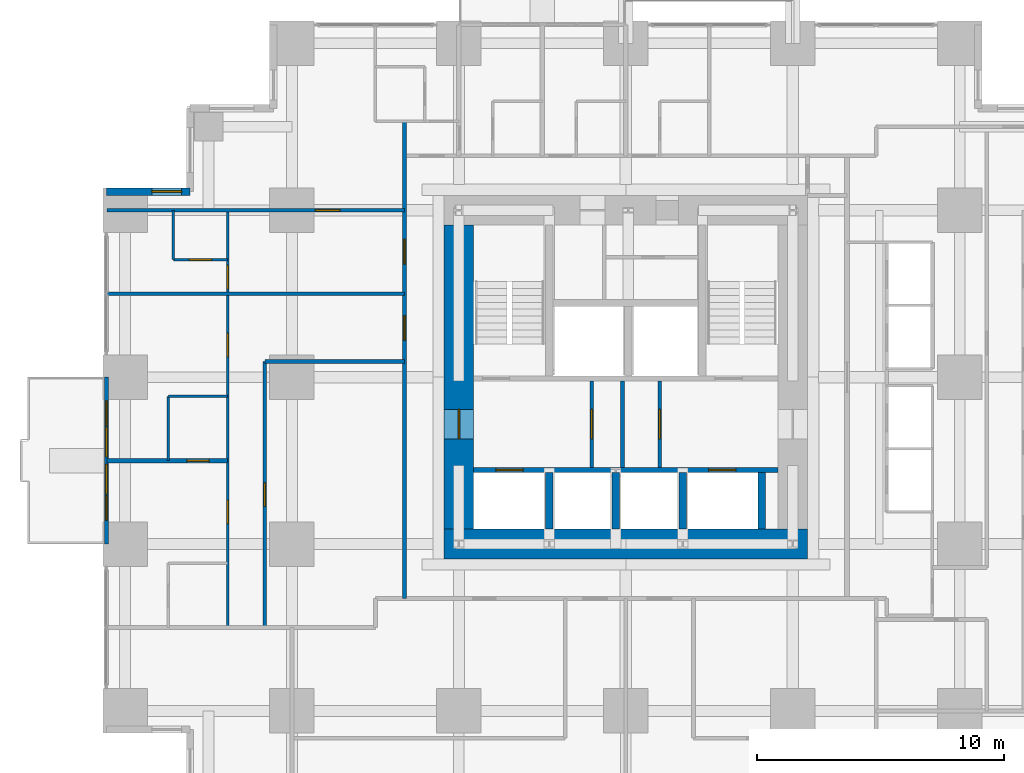
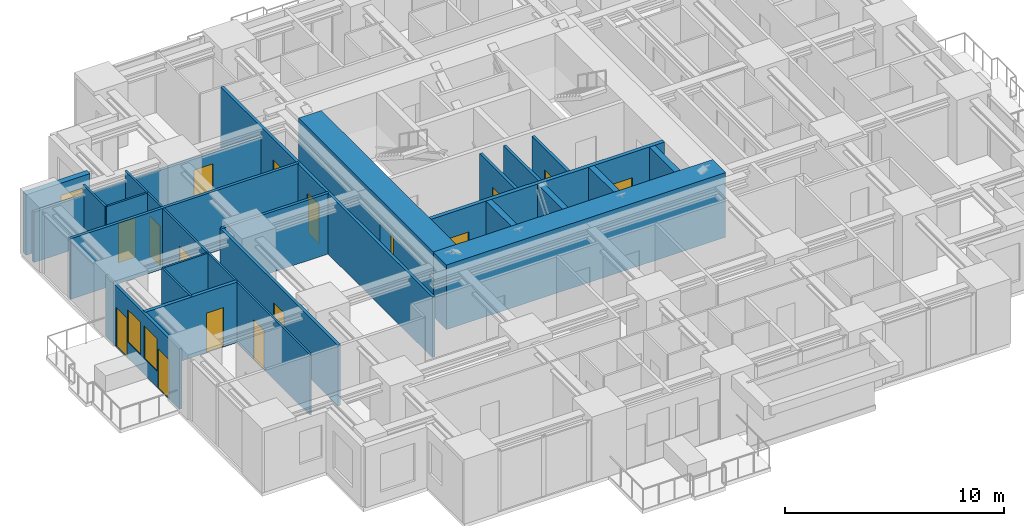
# One storey, part 8 of 13: 23 walls, 16 doors, 3 windows, 19 openings.
"""IFC4 building model written with IfcOpenShell, lengths in metres."""

from ifc_helpers import new_model, si_unit, direction, frame, frame_2d, origin, place, context, subcontext, project, spatial, rectangle, extrude, material, layer, layer_set, type_object, element, fill, save


model = new_model("IFC4")

# Units and contexts
model_context = context("Model", 3, precision=1e-05, world=origin(), true_north=direction((0.0, 1.0)))
body_context = subcontext(model_context, "Body", "Model", "MODEL_VIEW")
ifc_project = project(units=[si_unit("LENGTHUNIT", "METRE"), si_unit("AREAUNIT", "SQUARE_METRE"), si_unit("VOLUMEUNIT", "CUBIC_METRE"), si_unit("PLANEANGLEUNIT", "RADIAN"), si_unit("MASSUNIT", "GRAM", prefix="KILO")], contexts=[model_context])

# Site, building, storey
site_placement = place(None, origin())
site = spatial("IfcSite", under=ifc_project, at=site_placement, CompositionType="ELEMENT")
building_placement = place(site_placement, origin())
building = spatial("IfcBuilding", under=site, at=building_placement, Name="Nyansa Garden Tower", CompositionType="ELEMENT")
storey_placement = place(building_placement, frame((0.0, 0.0, 101.699951171875)))
storey = spatial("IfcBuildingStorey", under=building, at=storey_placement, Name="L27", CompositionType="ELEMENT", Elevation=101.699951171875)

# Wall, opening, door
ifc_material_1 = material(Name="Dense blockwork, plastered both sides, 55 dB", Category="masonry")
ifc_layer_1 = layer(ifc_material_1, 0.175048828125)
ifc_layer_set_1 = layer_set([ifc_layer_1], Name="Acoustic party wall PW175")
wall_type_1 = type_object("IfcWallType", Name="Acoustic party wall PW175", PredefinedType="PARTITIONING", material=ifc_layer_set_1)
wall_1_placement = place(storey_placement, frame((-0.73388671875, 16.875, 0.0), z_axis=(0.0, 0.0, 1.0), x_axis=(1.0, 0.0, 0.0)))
wall_1 = element("IfcWall", 1, at=wall_1_placement, inside=storey, type_object=wall_type_1, Name="Party wall", PredefinedType="PARTITIONING", context=body_context, shape_type="SweptSolid", body=[
    extrude(rectangle(XDim=4.8837890625, YDim=0.175048828125, at=frame_2d((2.44189453125, 0.0))), origin(), (0.0, 0.0, 1.0), 3.375),
])
opening_1_placement = place(wall_1_placement, frame((3.23388671875, 0.0, 0.0)))
opening_1 = element("IfcOpeningElement", 2, at=opening_1_placement, cuts=wall_1, Name="Opening D02", PredefinedType="OPENING", context=body_context, shape_type="SweptSolid", body=[
    extrude(rectangle(XDim=0.89990234375, YDim=2.199951171875, at=frame_2d((0.449951171875, 1.10009765625))), frame((0.0, 0.097412109375, 0.0), z_axis=(0.0, -1.0, 0.0), x_axis=(1.0, 0.0, 0.0)), (0.0, 0.0, 1.0), 0.195068359375),
])
ifc_material_2 = material(Name="Timber flush door", Category="wood")
door_type_1 = type_object("IfcDoorType", Name="En-suite door D02 900x2200", OperationType="SINGLE_SWING_RIGHT", PredefinedType="DOOR", material=ifc_material_2)
door_1_placement = place(opening_1_placement, origin())
door_1 = element("IfcDoor", 3, at=door_1_placement, inside=storey, type_object=door_type_1, Name="Door L27-061", OperationType="SINGLE_SWING_RIGHT", OverallHeight=2.199951171875, OverallWidth=0.89990234375, PredefinedType="DOOR", context=body_context, shape_type="SweptSolid", body=[
    extrude(rectangle(XDim=0.89990234375, YDim=2.199951171875, at=frame_2d((0.449951171875, 1.10009765625))), frame((0.0, 0.02490234375, 0.0), z_axis=(0.0, -1.0, 0.0), x_axis=(1.0, 0.0, 0.0)), (0.0, 0.0, 1.0), 0.050048828125),
])
fill(opening_1, door_1)

# Wall, openings, doors, windows
ifc_material_3 = material(Name="Black aluminium framed glazed screen", Category="aluminium")
ifc_layer_2 = layer(ifc_material_3, 0.14990234375)
ifc_layer_set_2 = layer_set([ifc_layer_2], Name="Balcony screen wall BW150")
wall_type_2 = type_object("IfcWallType", Name="Balcony screen wall BW150", PredefinedType="SOLIDWALL", material=ifc_layer_set_2)
wall_2_placement = place(storey_placement, frame((-0.75, 13.5, 0.0), z_axis=(0.0, 0.0, 1.0), x_axis=(0.0, 1.0, 0.0)))
wall_2 = element("IfcWall", 4, at=wall_2_placement, inside=storey, type_object=wall_type_2, Name="Glazed screen wall L27 W", PredefinedType="SOLIDWALL", context=body_context, shape_type="SweptSolid", body=[
    extrude(rectangle(XDim=6.75, YDim=0.14990234375, at=frame_2d((3.375, 0.0))), origin(), (0.0, 0.0, 1.0), 3.375),
])
opening_2_placement = place(wall_2_placement, frame((0.96240234375, 0.0, 0.0)))
opening_2 = element("IfcOpeningElement", 5, at=opening_2_placement, cuts=wall_2, Name="Opening D20", PredefinedType="OPENING", context=body_context, shape_type="SweptSolid", body=[
    extrude(rectangle(XDim=1.0, YDim=2.199951171875, at=frame_2d((0.5, 1.10009765625))), frame((0.0, 0.0849609375, 0.0), z_axis=(0.0, -1.0, 0.0), x_axis=(1.0, 0.0, 0.0)), (0.0, 0.0, 1.0), 0.169921875),
])
opening_3_placement = place(wall_2_placement, frame((2.02490234375, 0.0, 0.89990234375)))
opening_3 = element("IfcOpeningElement", 6, at=opening_3_placement, cuts=wall_2, Name="Opening W6", PredefinedType="OPENING", context=body_context, shape_type="SweptSolid", body=[
    extrude(rectangle(XDim=1.199951171875, YDim=1.800048828125, at=frame_2d((0.60009765625, 0.89990234375))), frame((0.0, 0.0849609375, 0.0), z_axis=(0.0, -1.0, 0.0), x_axis=(1.0, 0.0, 0.0)), (0.0, 0.0, 1.0), 0.169921875),
])
opening_4_placement = place(wall_2_placement, frame((4.78759765625, 0.0, 0.0)))
opening_4 = element("IfcOpeningElement", 7, at=opening_4_placement, cuts=wall_2, Name="Opening D20", PredefinedType="OPENING", context=body_context, shape_type="SweptSolid", body=[
    extrude(rectangle(XDim=1.0, YDim=2.199951171875, at=frame_2d((0.5, 1.10009765625))), frame((0.0, 0.0849609375, 0.0), z_axis=(0.0, -1.0, 0.0), x_axis=(1.0, 0.0, 0.0)), (0.0, 0.0, 1.0), 0.169921875),
])
opening_5_placement = place(wall_2_placement, frame((3.52490234375, 0.0, 0.89990234375)))
opening_5 = element("IfcOpeningElement", 8, at=opening_5_placement, cuts=wall_2, Name="Opening W6", PredefinedType="OPENING", context=body_context, shape_type="SweptSolid", body=[
    extrude(rectangle(XDim=1.199951171875, YDim=1.800048828125, at=frame_2d((0.60009765625, 0.89990234375))), frame((0.0, 0.0849609375, 0.0), z_axis=(0.0, -1.0, 0.0), x_axis=(1.0, 0.0, 0.0)), (0.0, 0.0, 1.0), 0.169921875),
])
ifc_material_4 = material(Name="Black aluminium framed glazed door", Category="aluminium")
door_type_2 = type_object("IfcDoorType", Name="Balcony door D20 1000x2200", OperationType="NOTDEFINED", PredefinedType="DOOR", material=ifc_material_4)
door_2_placement = place(opening_2_placement, origin())
door_2 = element("IfcDoor", 9, at=door_2_placement, inside=storey, type_object=door_type_2, Name="Balcony door L27", OperationType="SINGLE_SWING_LEFT", OverallHeight=2.199951171875, OverallWidth=1.0, PredefinedType="DOOR", context=body_context, shape_type="SweptSolid", body=[
    extrude(rectangle(XDim=1.0, YDim=2.199951171875, at=frame_2d((0.5, 1.10009765625))), frame((0.0, 0.02490234375, 0.0), z_axis=(0.0, -1.0, 0.0), x_axis=(1.0, 0.0, 0.0)), (0.0, 0.0, 1.0), 0.050048828125),
])
fill(opening_2, door_2)
door_3_placement = place(opening_4_placement, origin())
door_3 = element("IfcDoor", 10, at=door_3_placement, inside=storey, type_object=door_type_2, Name="Balcony door L27", OperationType="SINGLE_SWING_RIGHT", OverallHeight=2.199951171875, OverallWidth=1.0, PredefinedType="DOOR", context=body_context, shape_type="SweptSolid", body=[
    extrude(rectangle(XDim=1.0, YDim=2.199951171875, at=frame_2d((0.5, 1.10009765625))), frame((0.0, 0.02490234375, 0.0), z_axis=(0.0, -1.0, 0.0), x_axis=(1.0, 0.0, 0.0)), (0.0, 0.0, 1.0), 0.050048828125),
])
fill(opening_4, door_3)
ifc_material_5 = material(Name="Black aluminium frame, dark tinted double glazing", Category="aluminium")
window_type_1 = type_object("IfcWindowType", Name="Balcony window W6 1200x1800", PartitioningType="SINGLE_PANEL", PredefinedType="WINDOW", material=ifc_material_5)
window_1_placement = place(opening_3_placement, origin())
window_1 = element("IfcWindow", 11, at=window_1_placement, inside=storey, type_object=window_type_1, Name="Window L27", OverallHeight=1.800048828125, OverallWidth=1.199951171875, PartitioningType="SINGLE_PANEL", PredefinedType="WINDOW", context=body_context, shape_type="SweptSolid", body=[
    extrude(rectangle(XDim=1.199951171875, YDim=1.800048828125, at=frame_2d((0.60009765625, 0.89990234375))), frame((0.0, 0.030029296875, 0.0), z_axis=(0.0, -1.0, 0.0), x_axis=(1.0, 0.0, 0.0)), (0.0, 0.0, 1.0), 0.06005859375),
])
fill(opening_3, window_1)
window_2_placement = place(opening_5_placement, origin())
window_2 = element("IfcWindow", 12, at=window_2_placement, inside=storey, type_object=window_type_1, Name="Window L27", OverallHeight=1.800048828125, OverallWidth=1.199951171875, PartitioningType="SINGLE_PANEL", PredefinedType="WINDOW", context=body_context, shape_type="SweptSolid", body=[
    extrude(rectangle(XDim=1.199951171875, YDim=1.800048828125, at=frame_2d((0.60009765625, 0.89990234375))), frame((0.0, 0.030029296875, 0.0), z_axis=(0.0, -1.0, 0.0), x_axis=(1.0, 0.0, 0.0)), (0.0, 0.0, 1.0), 0.06005859375),
])
fill(opening_5, window_2)

# Wall, openings, doors
ifc_material_6 = material(Name="Concrete C70/85", Category="concrete")
ifc_layer_3 = layer(ifc_material_6, 0.199951171875)
ifc_layer_set_3 = layer_set([ifc_layer_3], Name="Core inner wall CI200")
wall_type_3 = type_object("IfcWallType", Name="Core inner wall CI200", PredefinedType="SHEAR", material=ifc_layer_set_3)
wall_3_placement = place(storey_placement, frame((14.10009765625, 16.5, 0.0), z_axis=(0.0, 0.0, 1.0), x_axis=(1.0, 0.0, 0.0)))
wall_3 = element("IfcWall", 13, at=wall_3_placement, inside=storey, type_object=wall_type_3, Name="Core inner wall L27", PredefinedType="SHEAR", context=body_context, shape_type="SweptSolid", body=[
    extrude(rectangle(XDim=12.2998046875, YDim=0.199951171875, at=frame_2d((6.14990234375, 0.0))), origin(), (0.0, 0.0, 1.0), 3.60009765625),
])
opening_6_placement = place(wall_3_placement, frame((0.89990234375, 0.0, 0.0)))
opening_6 = element("IfcOpeningElement", 14, at=opening_6_placement, cuts=wall_3, Name="Opening LD-F", PredefinedType="OPENING", context=body_context, shape_type="SweptSolid", body=[
    extrude(rectangle(XDim=1.10009765625, YDim=2.199951171875, at=frame_2d((0.550048828125, 1.10009765625))), frame((0.0, 0.10986328125, 0.0), z_axis=(0.0, -1.0, 0.0), x_axis=(1.0, 0.0, 0.0)), (0.0, 0.0, 1.0), 0.219970703125),
])
opening_7_placement = place(wall_3_placement, frame((9.5, 0.0, 0.0)))
opening_7 = element("IfcOpeningElement", 15, at=opening_7_placement, cuts=wall_3, Name="Opening LD-F", PredefinedType="OPENING", context=body_context, shape_type="SweptSolid", body=[
    extrude(rectangle(XDim=1.10009765625, YDim=2.199951171875, at=frame_2d((0.550048828125, 1.10009765625))), frame((0.0, 0.10986328125, 0.0), z_axis=(0.0, -1.0, 0.0), x_axis=(1.0, 0.0, 0.0)), (0.0, 0.0, 1.0), 0.219970703125),
])
ifc_material_7 = material(Name="Stainless steel centre-opening landing door of the firefighting lift, EN 81-72, E 120", Category="steel")
door_type_3 = type_object("IfcDoorType", Name="Lift landing door LD-F 1100x2200", OperationType="DOUBLE_DOOR_SLIDING", PredefinedType="DOOR", material=ifc_material_7)
door_4_placement = place(opening_6_placement, origin())
door_4 = element("IfcDoor", 16, at=door_4_placement, inside=storey, type_object=door_type_3, Name="Landing door FF1", OperationType="DOUBLE_DOOR_SLIDING", OverallHeight=2.199951171875, OverallWidth=1.10009765625, PredefinedType="DOOR", context=body_context, shape_type="SweptSolid", body=[
    extrude(rectangle(XDim=1.10009765625, YDim=2.199951171875, at=frame_2d((0.550048828125, 1.10009765625))), frame((0.0, 0.02490234375, 0.0), z_axis=(0.0, -1.0, 0.0), x_axis=(1.0, 0.0, 0.0)), (0.0, 0.0, 1.0), 0.050048828125),
])
fill(opening_6, door_4)
door_5_placement = place(opening_7_placement, origin())
door_5 = element("IfcDoor", 17, at=door_5_placement, inside=storey, type_object=door_type_3, Name="Landing door FF2", OperationType="DOUBLE_DOOR_SLIDING", OverallHeight=2.199951171875, OverallWidth=1.10009765625, PredefinedType="DOOR", context=body_context, shape_type="SweptSolid", body=[
    extrude(rectangle(XDim=1.10009765625, YDim=2.199951171875, at=frame_2d((0.550048828125, 1.10009765625))), frame((0.0, 0.02490234375, 0.0), z_axis=(0.0, -1.0, 0.0), x_axis=(1.0, 0.0, 0.0)), (0.0, 0.0, 1.0), 0.050048828125),
])
fill(opening_7, door_5)

# Walls
ifc_material_8 = material(Name="Concrete C70/85", Category="concrete")
ifc_layer_4 = layer(ifc_material_8, 0.300048828125)
ifc_layer_set_4 = layer_set([ifc_layer_4], Name="Core inner wall CI300")
wall_type_4 = type_object("IfcWallType", Name="Core inner wall CI300", PredefinedType="SHEAR", material=ifc_layer_set_4)
for number, where, z_axis, x_axis, name in (
    (18, (17.14990234375, 14.10009765625, 0.0), (0.0, 0.0, 1.0), (0.0, 1.0, 0.0), "Core inner wall L27"),
    (19, (19.85009765625, 14.10009765625, 0.0), (0.0, 0.0, 1.0), (0.0, 1.0, 0.0), "Core inner wall L27"),
    (20, (22.550048828125, 14.10009765625, 0.0), (0.0, 0.0, 1.0), (0.0, 1.0, 0.0), "Core inner wall L27"),
    (21, (25.75, 14.10009765625, 0.0), (0.0, 0.0, 1.0), (0.0, 1.0, 0.0), "Core inner wall L27"),
):
    element("IfcWall", number, at=place(storey_placement, frame(where, z_axis=z_axis, x_axis=x_axis)), inside=storey, type_object=wall_type_4, Name=name, PredefinedType="SHEAR", context=body_context, shape_type="SweptSolid", body=[
        extrude(rectangle(XDim=2.2998046875, YDim=0.300048828125, at=frame_2d((1.14990234375, 0.0))), origin(), (0.0, 0.0, 1.0), 3.60009765625),
    ])
ifc_material_9 = material(Name="Concrete C80/95", Category="concrete")
ifc_layer_5 = layer(ifc_material_9, 1.199951171875)
ifc_layer_set_5 = layer_set([ifc_layer_5], Name="Core wall CW1200")
wall_type_5 = type_object("IfcWallType", Name="Core wall CW1200", PredefinedType="SHEAR", material=ifc_layer_set_5)
wall_4_placement = place(storey_placement, frame((12.89990234375, 13.5, 0.0), z_axis=(0.0, 0.0, 1.0), x_axis=(1.0, 0.0, 0.0)))
element("IfcWall", 22, at=wall_4_placement, inside=storey, type_object=wall_type_5, Name="Core wall S L27", PredefinedType="SHEAR", context=body_context, shape_type="SweptSolid", body=[
    extrude(rectangle(XDim=14.7001953125, YDim=1.199951171875, at=frame_2d((7.35009765625, 0.0))), origin(), (0.0, 0.0, 1.0), 3.60009765625),
])

# Wall, opening, door
wall_5_placement = place(storey_placement, frame((13.5, 26.39990234375, 0.0), z_axis=(0.0, 0.0, 1.0), x_axis=(0.0, -1.0, 0.0)))
wall_5 = element("IfcWall", 23, at=wall_5_placement, inside=storey, type_object=wall_type_5, Name="Core wall W L27", PredefinedType="SHEAR", context=body_context, shape_type="SweptSolid", body=[
    extrude(rectangle(XDim=12.2998046875, YDim=1.199951171875, at=frame_2d((6.14990234375, 0.0))), origin(), (0.0, 0.0, 1.0), 3.60009765625),
])
opening_8_placement = place(wall_5_placement, frame((7.449951171875, 0.0, 0.0)))
opening_8 = element("IfcOpeningElement", 24, at=opening_8_placement, cuts=wall_5, Name="Opening D06", PredefinedType="OPENING", context=body_context, shape_type="SweptSolid", body=[
    extrude(rectangle(XDim=1.199951171875, YDim=2.199951171875, at=frame_2d((0.60009765625, 1.10009765625))), frame((0.0, 0.60986328125, 0.0), z_axis=(0.0, -1.0, 0.0), x_axis=(1.0, 0.0, 0.0)), (0.0, 0.0, 1.0), 1.219970703125),
])
ifc_material_10 = material(Name="Steel door, 120 minute fire resisting", Category="steel")
door_type_4 = type_object("IfcDoorType", Name="Lobby door D06 1200x2200", OperationType="DOUBLE_DOOR_SINGLE_SWING", PredefinedType="DOOR", material=ifc_material_10)
door_6_placement = place(opening_8_placement, origin())
door_6 = element("IfcDoor", 25, at=door_6_placement, inside=storey, type_object=door_type_4, Name="Lift lobby door west", OperationType="DOUBLE_DOOR_SINGLE_SWING", OverallHeight=2.199951171875, OverallWidth=1.199951171875, PredefinedType="DOOR", context=body_context, shape_type="SweptSolid", body=[
    extrude(rectangle(XDim=1.199951171875, YDim=2.199951171875, at=frame_2d((0.60009765625, 1.10009765625))), frame((0.0, 0.02490234375, 0.0), z_axis=(0.0, -1.0, 0.0), x_axis=(1.0, 0.0, 0.0)), (0.0, 0.0, 1.0), 0.050048828125),
])
fill(opening_8, door_6)

ifc_material_11 = material(Name="Blockwork, plastered both sides", Category="masonry")
ifc_layer_6 = layer(ifc_material_11, 0.14990234375)
ifc_layer_set_6 = layer_set([ifc_layer_6], Name="Partition PW150")
wall_type_6 = type_object("IfcWallType", Name="Partition PW150", PredefinedType="PARTITIONING", material=ifc_layer_set_6)
wall_6_placement = place(storey_placement, frame((18.875, 16.60009765625, 0.0), z_axis=(0.0, 0.0, 1.0), x_axis=(0.0, 1.0, 0.0)))
wall_6 = element("IfcWall", 26, at=wall_6_placement, inside=storey, type_object=wall_type_6, Name="Partition", PredefinedType="PARTITIONING", context=body_context, shape_type="SweptSolid", body=[
    extrude(rectangle(XDim=3.5, YDim=0.14990234375, at=frame_2d((1.75, 0.0))), origin(), (0.0, 0.0, 1.0), 3.375),
])
opening_9_placement = place(wall_6_placement, frame((1.14990234375, 0.0, 0.0)))
opening_9 = element("IfcOpeningElement", 27, at=opening_9_placement, cuts=wall_6, Name="Opening D06", PredefinedType="OPENING", context=body_context, shape_type="SweptSolid", body=[
    extrude(rectangle(XDim=1.199951171875, YDim=2.199951171875, at=frame_2d((0.60009765625, 1.10009765625))), frame((0.0, 0.0849609375, 0.0), z_axis=(0.0, -1.0, 0.0), x_axis=(1.0, 0.0, 0.0)), (0.0, 0.0, 1.0), 0.169921875),
])
door_7_placement = place(opening_9_placement, origin())
door_7 = element("IfcDoor", 28, at=door_7_placement, inside=storey, type_object=door_type_4, Name="Passenger lift lobby door", OperationType="DOUBLE_DOOR_SINGLE_SWING", OverallHeight=2.199951171875, OverallWidth=1.199951171875, PredefinedType="DOOR", context=body_context, shape_type="SweptSolid", body=[
    extrude(rectangle(XDim=1.199951171875, YDim=2.199951171875, at=frame_2d((0.60009765625, 1.10009765625))), frame((0.0, 0.02490234375, 0.0), z_axis=(0.0, -1.0, 0.0), x_axis=(1.0, 0.0, 0.0)), (0.0, 0.0, 1.0), 0.050048828125),
])
fill(opening_9, door_7)

wall_7_placement = place(storey_placement, frame((21.625, 16.60009765625, 0.0), z_axis=(0.0, 0.0, 1.0), x_axis=(0.0, 1.0, 0.0)))
wall_7 = element("IfcWall", 29, at=wall_7_placement, inside=storey, type_object=wall_type_6, Name="Partition", PredefinedType="PARTITIONING", context=body_context, shape_type="SweptSolid", body=[
    extrude(rectangle(XDim=3.5, YDim=0.14990234375, at=frame_2d((1.75, 0.0))), origin(), (0.0, 0.0, 1.0), 3.375),
])
opening_10_placement = place(wall_7_placement, frame((1.14990234375, 0.0, 0.0)))
opening_10 = element("IfcOpeningElement", 30, at=opening_10_placement, cuts=wall_7, Name="Opening D06", PredefinedType="OPENING", context=body_context, shape_type="SweptSolid", body=[
    extrude(rectangle(XDim=1.199951171875, YDim=2.199951171875, at=frame_2d((0.60009765625, 1.10009765625))), frame((0.0, 0.0849609375, 0.0), z_axis=(0.0, -1.0, 0.0), x_axis=(1.0, 0.0, 0.0)), (0.0, 0.0, 1.0), 0.169921875),
])
door_8_placement = place(opening_10_placement, origin())
door_8 = element("IfcDoor", 31, at=door_8_placement, inside=storey, type_object=door_type_4, Name="Passenger lift lobby door", OperationType="DOUBLE_DOOR_SINGLE_SWING", OverallHeight=2.199951171875, OverallWidth=1.199951171875, PredefinedType="DOOR", context=body_context, shape_type="SweptSolid", body=[
    extrude(rectangle(XDim=1.199951171875, YDim=2.199951171875, at=frame_2d((0.60009765625, 1.10009765625))), frame((0.0, 0.02490234375, 0.0), z_axis=(0.0, -1.0, 0.0), x_axis=(1.0, 0.0, 0.0)), (0.0, 0.0, 1.0), 0.050048828125),
])
fill(opening_10, door_8)

# Walls
wall_8_placement = place(storey_placement, frame((20.1201171875, 16.60009765625, 0.0), z_axis=(0.0, 0.0, 1.0), x_axis=(0.0, 1.0, 0.0)))
element("IfcWall", 32, at=wall_8_placement, inside=storey, type_object=wall_type_6, Name="Partition", PredefinedType="PARTITIONING", context=body_context, shape_type="SweptSolid", body=[
    extrude(rectangle(XDim=3.5, YDim=0.14990234375, at=frame_2d((1.75, 0.0))), origin(), (0.0, 0.0, 1.0), 3.375),
])
wall_9_placement = place(storey_placement, frame((-0.73388671875, 23.625, 0.0), z_axis=(0.0, 0.0, 1.0), x_axis=(1.0, 0.0, 0.0)))
element("IfcWall", 33, at=wall_9_placement, inside=storey, type_object=wall_type_6, Name="Partition", PredefinedType="PARTITIONING", context=body_context, shape_type="SweptSolid", body=[
    extrude(rectangle(XDim=12.033935546875, YDim=0.14990234375, at=frame_2d((6.01708984375, 0.0))), origin(), (0.0, 0.0, 1.0), 3.375),
])

# Wall, opening, door
wall_10_placement = place(storey_placement, frame((-0.73388671875, 27.0, 0.0), z_axis=(0.0, 0.0, 1.0), x_axis=(1.0, 0.0, 0.0)))
wall_10 = element("IfcWall", 34, at=wall_10_placement, inside=storey, type_object=wall_type_6, Name="Partition", PredefinedType="PARTITIONING", context=body_context, shape_type="SweptSolid", body=[
    extrude(rectangle(XDim=12.033935546875, YDim=0.14990234375, at=frame_2d((6.01708984375, 0.0))), origin(), (0.0, 0.0, 1.0), 2.80615234375),
])
opening_11_placement = place(wall_10_placement, frame((8.43408203125, 0.0, 0.0)))
opening_11 = element("IfcOpeningElement", 35, at=opening_11_placement, cuts=wall_10, Name="Opening D03", PredefinedType="OPENING", context=body_context, shape_type="SweptSolid", body=[
    extrude(rectangle(XDim=1.0, YDim=2.199951171875, at=frame_2d((0.5, 1.10009765625))), frame((0.0, 0.0849609375, 0.0), z_axis=(0.0, -1.0, 0.0), x_axis=(1.0, 0.0, 0.0)), (0.0, 0.0, 1.0), 0.169921875),
])
ifc_material_12 = material(Name="Timber flush door, 60 minute fire resisting", Category="wood")
door_type_5 = type_object("IfcDoorType", Name="Cluster entrance door D03 1000x2200", OperationType="SINGLE_SWING_LEFT", PredefinedType="DOOR", material=ifc_material_12)
door_9_placement = place(opening_11_placement, origin())
door_9 = element("IfcDoor", 36, at=door_9_placement, inside=storey, type_object=door_type_5, Name="Door L27-054", OperationType="SINGLE_SWING_LEFT", OverallHeight=2.199951171875, OverallWidth=1.0, PredefinedType="DOOR", context=body_context, shape_type="SweptSolid", body=[
    extrude(rectangle(XDim=1.0, YDim=2.199951171875, at=frame_2d((0.5, 1.10009765625))), frame((0.0, 0.02490234375, 0.0), z_axis=(0.0, -1.0, 0.0), x_axis=(1.0, 0.0, 0.0)), (0.0, 0.0, 1.0), 0.050048828125),
])
fill(opening_11, door_9)

wall_11_placement = place(storey_placement, frame((5.64990234375, 10.125, 0.0), z_axis=(0.0, 0.0, 1.0), x_axis=(0.0, 1.0, 0.0)))
wall_11 = element("IfcWall", 37, at=wall_11_placement, inside=storey, type_object=wall_type_6, Name="Partition", PredefinedType="PARTITIONING", context=body_context, shape_type="SweptSolid", body=[
    extrude(rectangle(XDim=10.762451171875, YDim=0.14990234375, at=frame_2d((5.38134765625, 0.0))), origin(), (0.0, 0.0, 1.0), 3.375),
])
opening_12_placement = place(wall_11_placement, frame((4.89990234375, 0.0, 0.0)))
opening_12 = element("IfcOpeningElement", 38, at=opening_12_placement, cuts=wall_11, Name="Opening D01", PredefinedType="OPENING", context=body_context, shape_type="SweptSolid", body=[
    extrude(rectangle(XDim=0.949951171875, YDim=2.199951171875, at=frame_2d((0.47509765625, 1.10009765625))), frame((0.0, 0.0849609375, 0.0), z_axis=(0.0, -1.0, 0.0), x_axis=(1.0, 0.0, 0.0)), (0.0, 0.0, 1.0), 0.169921875),
])
ifc_material_13 = material(Name="Timber flush door, 30 minute fire resisting", Category="wood")
door_type_6 = type_object("IfcDoorType", Name="Bedroom door D01 950x2200", OperationType="SINGLE_SWING_LEFT", PredefinedType="DOOR", material=ifc_material_13)
door_10_placement = place(opening_12_placement, origin())
door_10 = element("IfcDoor", 39, at=door_10_placement, inside=storey, type_object=door_type_6, Name="Door L27-063", OperationType="SINGLE_SWING_LEFT", OverallHeight=2.199951171875, OverallWidth=0.949951171875, PredefinedType="DOOR", context=body_context, shape_type="SweptSolid", body=[
    extrude(rectangle(XDim=0.949951171875, YDim=2.199951171875, at=frame_2d((0.47509765625, 1.10009765625))), frame((0.0, 0.02490234375, 0.0), z_axis=(0.0, -1.0, 0.0), x_axis=(1.0, 0.0, 0.0)), (0.0, 0.0, 1.0), 0.050048828125),
])
fill(opening_12, door_10)

# Wall
wall_12_placement = place(storey_placement, frame((5.64990234375, 20.886962890625, 0.0), z_axis=(0.0, 0.0, 1.0), x_axis=(1.0, 0.0, 0.0)))
element("IfcWall", 40, at=wall_12_placement, inside=storey, type_object=wall_type_6, Name="Partition", PredefinedType="PARTITIONING", context=body_context, shape_type="SweptSolid", body=[
    extrude(rectangle(XDim=5.650146484375, YDim=0.14990234375, at=frame_2d((2.8251953125, 0.0))), origin(), (0.0, 0.0, 1.0), 3.375),
])

# Wall, openings, doors
wall_13_placement = place(storey_placement, frame((11.300048828125, 11.300048828125, 0.0), z_axis=(0.0, 0.0, 1.0), x_axis=(0.0, 1.0, 0.0)))
wall_13 = element("IfcWall", 41, at=wall_13_placement, inside=storey, type_object=wall_type_6, Name="Partition", PredefinedType="PARTITIONING", context=body_context, shape_type="SweptSolid", body=[
    extrude(rectangle(XDim=19.300048828125, YDim=0.14990234375, at=frame_2d((9.64990234375, 0.0))), origin(), (0.0, 0.0, 1.0), 3.375),
])
opening_13_placement = place(wall_13_placement, frame((13.52490234375, 0.0, 0.0)))
opening_13 = element("IfcOpeningElement", 42, at=opening_13_placement, cuts=wall_13, Name="Opening D03", PredefinedType="OPENING", context=body_context, shape_type="SweptSolid", body=[
    extrude(rectangle(XDim=1.0, YDim=2.199951171875, at=frame_2d((0.5, 1.10009765625))), frame((0.0, 0.0849609375, 0.0), z_axis=(0.0, -1.0, 0.0), x_axis=(1.0, 0.0, 0.0)), (0.0, 0.0, 1.0), 0.169921875),
])
opening_14_placement = place(wall_13_placement, frame((10.4375, 0.0, 0.0)))
opening_14 = element("IfcOpeningElement", 43, at=opening_14_placement, cuts=wall_13, Name="Opening D03", PredefinedType="OPENING", context=body_context, shape_type="SweptSolid", body=[
    extrude(rectangle(XDim=1.0, YDim=2.199951171875, at=frame_2d((0.5, 1.10009765625))), frame((0.0, 0.0849609375, 0.0), z_axis=(0.0, -1.0, 0.0), x_axis=(1.0, 0.0, 0.0)), (0.0, 0.0, 1.0), 0.169921875),
])
door_11_placement = place(opening_13_placement, origin())
door_11 = element("IfcDoor", 44, at=door_11_placement, inside=storey, type_object=door_type_5, Name="Door L27-057", OperationType="SINGLE_SWING_LEFT", OverallHeight=2.199951171875, OverallWidth=1.0, PredefinedType="DOOR", context=body_context, shape_type="SweptSolid", body=[
    extrude(rectangle(XDim=1.0, YDim=2.199951171875, at=frame_2d((0.5, 1.10009765625))), frame((0.0, 0.02490234375, 0.0), z_axis=(0.0, -1.0, 0.0), x_axis=(1.0, 0.0, 0.0)), (0.0, 0.0, 1.0), 0.050048828125),
])
fill(opening_13, door_11)
door_12_placement = place(opening_14_placement, origin())
door_12 = element("IfcDoor", 45, at=door_12_placement, inside=storey, type_object=door_type_5, Name="Door L27-062", OperationType="SINGLE_SWING_LEFT", OverallHeight=2.199951171875, OverallWidth=1.0, PredefinedType="DOOR", context=body_context, shape_type="SweptSolid", body=[
    extrude(rectangle(XDim=1.0, YDim=2.199951171875, at=frame_2d((0.5, 1.10009765625))), frame((0.0, 0.02490234375, 0.0), z_axis=(0.0, -1.0, 0.0), x_axis=(1.0, 0.0, 0.0)), (0.0, 0.0, 1.0), 0.050048828125),
])
fill(opening_14, door_12)

# Wall, opening, window
ifc_material_14 = material(Name="Turquoise glazed tile on concrete blockwork", Category="masonry")
ifc_layer_7 = layer(ifc_material_14, 0.300048828125)
ifc_layer_set_7 = layer_set([ifc_layer_7], Name="Tiled corner wall TW300")
wall_type_7 = type_object("IfcWallType", Name="Tiled corner wall TW300", PredefinedType="SOLIDWALL", material=ifc_layer_set_7)
wall_14_placement = place(storey_placement, frame((2.625, 27.75, 0.0), z_axis=(0.0, 0.0, 1.0), x_axis=(-1.0, 0.0, 0.0)))
wall_14 = element("IfcWall", 46, at=wall_14_placement, inside=storey, type_object=wall_type_7, Name="Tiled corner wall L27", PredefinedType="SOLIDWALL", context=body_context, shape_type="SweptSolid", body=[
    extrude(rectangle(XDim=3.375, YDim=0.300048828125, at=frame_2d((1.6875, 0.0))), origin(), (0.0, 0.0, 1.0), 3.375),
])
opening_15_placement = place(wall_14_placement, frame((0.342529296875, 0.0, 0.89990234375)))
opening_15 = element("IfcOpeningElement", 47, at=opening_15_placement, cuts=wall_14, Name="Opening W4", PredefinedType="OPENING", context=body_context, shape_type="SweptSolid", body=[
    extrude(rectangle(XDim=1.199951171875, YDim=1.800048828125, at=frame_2d((0.60009765625, 0.89990234375))), frame((0.0, 0.159912109375, 0.0), z_axis=(0.0, -1.0, 0.0), x_axis=(1.0, 0.0, 0.0)), (0.0, 0.0, 1.0), 0.320068359375),
])
ifc_material_15 = material(Name="Black aluminium frame, dark tinted double glazing", Category="aluminium")
window_type_2 = type_object("IfcWindowType", Name="Window W4 1200x1800", PartitioningType="SINGLE_PANEL", PredefinedType="WINDOW", material=ifc_material_15)
window_3_placement = place(opening_15_placement, origin())
window_3 = element("IfcWindow", 48, at=window_3_placement, inside=storey, type_object=window_type_2, Name="Corner window L27", OverallHeight=1.800048828125, OverallWidth=1.199951171875, PartitioningType="SINGLE_PANEL", PredefinedType="WINDOW", context=body_context, shape_type="SweptSolid", body=[
    extrude(rectangle(XDim=1.199951171875, YDim=1.800048828125, at=frame_2d((0.60009765625, 0.89990234375))), frame((0.0, 0.030029296875, 0.0), z_axis=(0.0, -1.0, 0.0), x_axis=(1.0, 0.0, 0.0)), (0.0, 0.0, 1.0), 0.06005859375),
])
fill(opening_15, window_3)

# Walls
ifc_material_16 = material(Name="Moisture resistant board on steel studs, tiled", Category="steel")
ifc_layer_8 = layer(ifc_material_16, 0.10009765625)
ifc_layer_set_8 = layer_set([ifc_layer_8], Name="Wet wall PW100")
wall_type_8 = type_object("IfcWallType", Name="Wet wall PW100", PredefinedType="PARTITIONING", material=ifc_layer_set_8)
wall_15_placement = place(storey_placement, frame((1.75, 16.875, 0.0), z_axis=(0.0, 0.0, 1.0), x_axis=(0.0, 1.0, 0.0)))
element("IfcWall", 49, at=wall_15_placement, inside=storey, type_object=wall_type_8, Name="Wet wall", PredefinedType="PARTITIONING", context=body_context, shape_type="SweptSolid", body=[
    extrude(rectangle(XDim=2.60009765625, YDim=0.10009765625, at=frame_2d((1.300048828125, 0.0))), origin(), (0.0, 0.0, 1.0), 3.375),
])
wall_16_placement = place(storey_placement, frame((1.75, 19.47509765625, 0.0), z_axis=(0.0, 0.0, 1.0), x_axis=(1.0, 0.0, 0.0)))
element("IfcWall", 50, at=wall_16_placement, inside=storey, type_object=wall_type_8, Name="Wet wall", PredefinedType="PARTITIONING", context=body_context, shape_type="SweptSolid", body=[
    extrude(rectangle(XDim=2.39990234375, YDim=0.10009765625, at=frame_2d((1.199951171875, 0.0))), origin(), (0.0, 0.0, 1.0), 3.375),
])
wall_17_placement = place(storey_placement, frame((1.949951171875, 25.0, 0.0), z_axis=(0.0, 0.0, 1.0), x_axis=(0.0, 1.0, 0.0)))
element("IfcWall", 51, at=wall_17_placement, inside=storey, type_object=wall_type_8, Name="Wet wall", PredefinedType="PARTITIONING", context=body_context, shape_type="SweptSolid", body=[
    extrude(rectangle(XDim=2.0, YDim=0.10009765625, at=frame_2d((1.0, 0.0))), origin(), (0.0, 0.0, 1.0), 3.375),
])

# Wall, opening, door
wall_18_placement = place(storey_placement, frame((1.949951171875, 25.0, 0.0), z_axis=(0.0, 0.0, 1.0), x_axis=(1.0, 0.0, 0.0)))
wall_18 = element("IfcWall", 52, at=wall_18_placement, inside=storey, type_object=wall_type_8, Name="Wet wall", PredefinedType="PARTITIONING", context=body_context, shape_type="SweptSolid", body=[
    extrude(rectangle(XDim=2.199951171875, YDim=0.10009765625, at=frame_2d((1.10009765625, 0.0))), origin(), (0.0, 0.0, 1.0), 3.375),
])
opening_16_placement = place(wall_18_placement, frame((0.64990234375, 0.0, 0.0)))
opening_16 = element("IfcOpeningElement", 53, at=opening_16_placement, cuts=wall_18, Name="Opening D02", PredefinedType="OPENING", context=body_context, shape_type="SweptSolid", body=[
    extrude(rectangle(XDim=0.89990234375, YDim=2.199951171875, at=frame_2d((0.449951171875, 1.10009765625))), frame((0.0, 0.06005859375, 0.0), z_axis=(0.0, -1.0, 0.0), x_axis=(1.0, 0.0, 0.0)), (0.0, 0.0, 1.0), 0.1201171875),
])
door_13_placement = place(opening_16_placement, origin())
door_13 = element("IfcDoor", 54, at=door_13_placement, inside=storey, type_object=door_type_1, Name="Door L27-056", OperationType="SINGLE_SWING_RIGHT", OverallHeight=2.199951171875, OverallWidth=0.89990234375, PredefinedType="DOOR", context=body_context, shape_type="SweptSolid", body=[
    extrude(rectangle(XDim=0.89990234375, YDim=2.199951171875, at=frame_2d((0.449951171875, 1.10009765625))), frame((0.0, 0.02490234375, 0.0), z_axis=(0.0, -1.0, 0.0), x_axis=(1.0, 0.0, 0.0)), (0.0, 0.0, 1.0), 0.050048828125),
])
fill(opening_16, door_13)

# Wall, openings, doors
wall_19_placement = place(storey_placement, frame((4.14990234375, 10.125, 0.0), z_axis=(0.0, 0.0, 1.0), x_axis=(0.0, 1.0, 0.0)))
wall_19 = element("IfcWall", 55, at=wall_19_placement, inside=storey, type_object=wall_type_8, Name="Wet wall", PredefinedType="PARTITIONING", context=body_context, shape_type="SweptSolid", body=[
    extrude(rectangle(XDim=16.875, YDim=0.10009765625, at=frame_2d((8.4375, 0.0))), origin(), (0.0, 0.0, 1.0), 3.375),
])
opening_17_placement = place(wall_19_placement, frame((13.699951171875, 0.0, 0.0)))
opening_17 = element("IfcOpeningElement", 56, at=opening_17_placement, cuts=wall_19, Name="Opening D01", PredefinedType="OPENING", context=body_context, shape_type="SweptSolid", body=[
    extrude(rectangle(XDim=0.949951171875, YDim=2.199951171875, at=frame_2d((0.47509765625, 1.10009765625))), frame((0.0, 0.06005859375, 0.0), z_axis=(0.0, -1.0, 0.0), x_axis=(1.0, 0.0, 0.0)), (0.0, 0.0, 1.0), 0.1201171875),
])
opening_18_placement = place(wall_19_placement, frame((4.199951171875, 0.0, 0.0)))
opening_18 = element("IfcOpeningElement", 57, at=opening_18_placement, cuts=wall_19, Name="Opening D14", PredefinedType="OPENING", context=body_context, shape_type="SweptSolid", body=[
    extrude(rectangle(XDim=0.949951171875, YDim=2.199951171875, at=frame_2d((0.47509765625, 1.10009765625))), frame((0.0, 0.06005859375, 0.0), z_axis=(0.0, -1.0, 0.0), x_axis=(1.0, 0.0, 0.0)), (0.0, 0.0, 1.0), 0.1201171875),
])
opening_19_placement = place(wall_19_placement, frame((10.949951171875, 0.0, 0.0)))
opening_19 = element("IfcOpeningElement", 58, at=opening_19_placement, cuts=wall_19, Name="Opening D14", PredefinedType="OPENING", context=body_context, shape_type="SweptSolid", body=[
    extrude(rectangle(XDim=0.949951171875, YDim=2.199951171875, at=frame_2d((0.47509765625, 1.10009765625))), frame((0.0, 0.06005859375, 0.0), z_axis=(0.0, -1.0, 0.0), x_axis=(1.0, 0.0, 0.0)), (0.0, 0.0, 1.0), 0.1201171875),
])
door_14_placement = place(opening_17_placement, origin())
door_14 = element("IfcDoor", 59, at=door_14_placement, inside=storey, type_object=door_type_6, Name="Door L27-055", OperationType="SINGLE_SWING_LEFT", OverallHeight=2.199951171875, OverallWidth=0.949951171875, PredefinedType="DOOR", context=body_context, shape_type="SweptSolid", body=[
    extrude(rectangle(XDim=0.949951171875, YDim=2.199951171875, at=frame_2d((0.47509765625, 1.10009765625))), frame((0.0, 0.02490234375, 0.0), z_axis=(0.0, -1.0, 0.0), x_axis=(1.0, 0.0, 0.0)), (0.0, 0.0, 1.0), 0.050048828125),
])
fill(opening_17, door_14)
ifc_material_17 = material(Name="Timber flush door, 60 minute fire resisting, self-closing", Category="wood")
door_type_7 = type_object("IfcDoorType", Name="Studio entrance door D14 950x2200", OperationType="SINGLE_SWING_LEFT", PredefinedType="DOOR", material=ifc_material_17)
door_15_placement = place(opening_18_placement, origin())
door_15 = element("IfcDoor", 60, at=door_15_placement, inside=storey, type_object=door_type_7, Name="Door L27-058", OperationType="SINGLE_SWING_LEFT", OverallHeight=2.199951171875, OverallWidth=0.949951171875, PredefinedType="DOOR", context=body_context, shape_type="SweptSolid", body=[
    extrude(rectangle(XDim=0.949951171875, YDim=2.199951171875, at=frame_2d((0.47509765625, 1.10009765625))), frame((0.0, 0.02490234375, 0.0), z_axis=(0.0, -1.0, 0.0), x_axis=(1.0, 0.0, 0.0)), (0.0, 0.0, 1.0), 0.050048828125),
])
fill(opening_18, door_15)
door_16_placement = place(opening_19_placement, origin())
door_16 = element("IfcDoor", 61, at=door_16_placement, inside=storey, type_object=door_type_7, Name="Door L27-060", OperationType="SINGLE_SWING_LEFT", OverallHeight=2.199951171875, OverallWidth=0.949951171875, PredefinedType="DOOR", context=body_context, shape_type="SweptSolid", body=[
    extrude(rectangle(XDim=0.949951171875, YDim=2.199951171875, at=frame_2d((0.47509765625, 1.10009765625))), frame((0.0, 0.02490234375, 0.0), z_axis=(0.0, -1.0, 0.0), x_axis=(1.0, 0.0, 0.0)), (0.0, 0.0, 1.0), 0.050048828125),
])
fill(opening_19, door_16)

save(model, "model.ifc")
